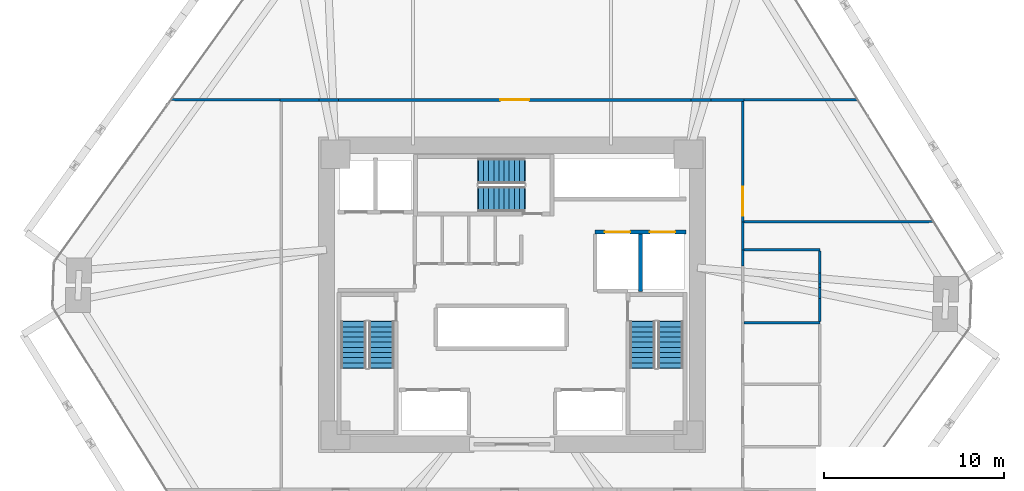
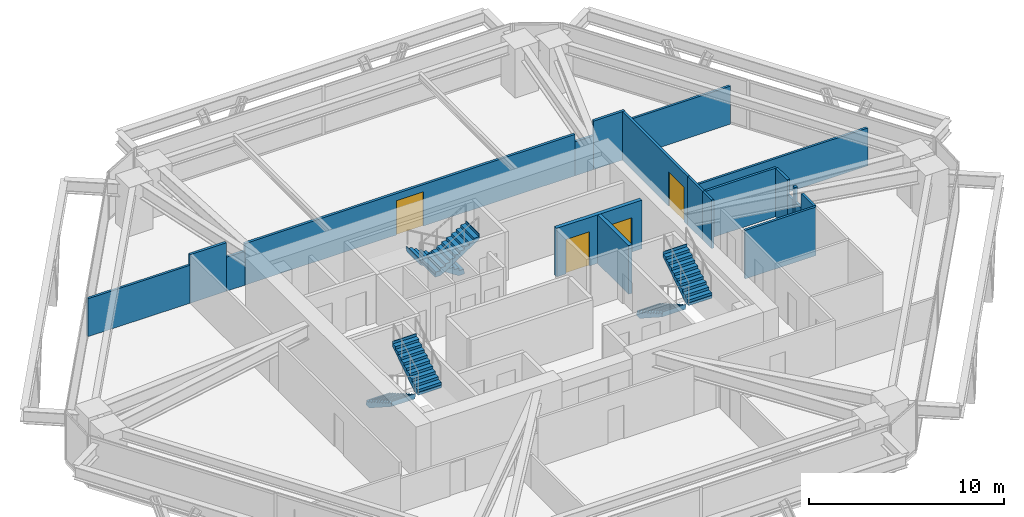
# One storey, part 13 of 14: 20 walls, 6 stair flights, 4 doors, 4 openings, 3 elements without a shape of their own.
"""IFC4 building model written with IfcOpenShell, lengths in metres."""

from ifc_helpers import new_model, si_unit, direction, frame, frame_2d, origin, place, context, subcontext, project, spatial, polyline, rectangle, outline, extrude, source, transform, mapped, material, layer, layer_set, type_object, type_shapes, element, fill, aggregate, save


model = new_model("IFC4")

# Units and contexts
model_context = context("Model", 3, precision=1e-05, world=origin(), true_north=direction((0.0, 1.0)))
body_context = subcontext(model_context, "Body", "Model", "MODEL_VIEW")
ifc_project = project(units=[si_unit("LENGTHUNIT", "METRE"), si_unit("AREAUNIT", "SQUARE_METRE"), si_unit("VOLUMEUNIT", "CUBIC_METRE"), si_unit("PLANEANGLEUNIT", "RADIAN"), si_unit("MASSUNIT", "GRAM", prefix="KILO")], contexts=[model_context])

# Site, building, storey
site_placement = place(None, origin())
site = spatial("IfcSite", under=ifc_project, at=site_placement, CompositionType="ELEMENT")
building_placement = place(site_placement, origin())
building = spatial("IfcBuilding", under=site, at=building_placement, Name="Durnholm Broadcast Tower", CompositionType="ELEMENT")
storey_placement = place(building_placement, frame((0.0, 0.0, 68.699951171875)))
storey = spatial("IfcBuildingStorey", under=building, at=storey_placement, Name="L17", CompositionType="ELEMENT", Elevation=68.699951171875)

# Walls
ifc_material_1 = material(Name="Gypsum Metal Stud Partition", Category="concrete")
ifc_layer_1 = layer(ifc_material_1, 0.135009765625)
ifc_layer_set_1 = layer_set([ifc_layer_1], Name="Gypsum Metal Stud Partition")
wall_type_1 = type_object("IfcWallType", Name="WALL-PART-135", PredefinedType="PARTITIONING", material=ifc_layer_set_1)
wall_1_placement = place(storey_placement, frame((-12.889892578125, 10.810302734375, 0.0), z_axis=(0.0, 0.0, 1.0), x_axis=(-0.999992607823, 0.003845035728, 0.0)))
element("IfcWall", 1, at=wall_1_placement, inside=storey, type_object=wall_type_1, Name="L17 room dividing partition 8.12", PredefinedType="PARTITIONING", context=body_context, shape_type="SweptSolid", body=[
    extrude(rectangle(XDim=6.031982421875, YDim=0.135009765625, at=frame_2d((3.01611328125, 0.0))), origin(), (0.0, 0.0, 1.0), 2.380126953125),
])
wall_2_placement = place(storey_placement, frame((19.18212890625, 10.831298828125, 0.0), z_axis=(0.0, 0.0, 1.0), x_axis=(-0.999994432845, -0.003336806783, 0.0)))
element("IfcWall", 2, at=wall_2_placement, inside=storey, type_object=wall_type_1, Name="L17 room dividing partition 8.14", PredefinedType="PARTITIONING", context=body_context, shape_type="SweptSolid", body=[
    extrude(rectangle(XDim=6.292236328125, YDim=0.135009765625, at=frame_2d((3.14599609375, 0.0))), origin(), (0.0, 0.0, 1.0), 2.380126953125),
])
wall_3_placement = place(storey_placement, frame((12.888916015625, 4.040283203125, 0.0), z_axis=(0.0, 0.0, 1.0), x_axis=(0.999998004093, 0.001997951593, 0.0)))
element("IfcWall", 3, at=wall_3_placement, inside=storey, type_object=wall_type_1, Name="L17 room dividing partition 13.14", PredefinedType="PARTITIONING", context=body_context, shape_type="SweptSolid", body=[
    extrude(rectangle(XDim=10.5087890625, YDim=0.135009765625, at=frame_2d((5.25439453125, 0.0))), origin(), (0.0, 0.0, 1.0), 2.380126953125),
])
ifc_material_2 = material(Name="Acoustic Gypsum Stud Partition", Category="concrete")
ifc_layer_2 = layer(ifc_material_2, 0.14990234375)
ifc_layer_set_2 = layer_set([ifc_layer_2], Name="Acoustic Gypsum Stud Partition")
wall_type_2 = type_object("IfcWallType", Name="WALL-PART-150", PredefinedType="PARTITIONING", material=ifc_layer_set_2)
wall_4_placement = place(storey_placement, frame((12.889892578125, 10.81005859375, 0.0), z_axis=(0.0, 0.0, 1.0), x_axis=(-1.0, 0.0, 0.0)))
element("IfcWall", 4, at=wall_4_placement, inside=storey, type_object=wall_type_2, Name="L17 International News Auditorium corridor partition", PredefinedType="PARTITIONING", context=body_context, shape_type="SweptSolid", body=[
    extrude(rectangle(XDim=1.847412109375, YDim=0.14990234375, at=frame_2d((0.923828125, 0.0))), origin(), (0.0, 0.0, 1.0), 3.045166015625),
])

# Wall, opening, door
wall_5_placement = place(storey_placement, frame((9.93310546875, 10.81005859375, 0.0), z_axis=(0.0, 0.0, 1.0), x_axis=(-1.0, 0.0, 0.0)))
wall_5 = element("IfcWall", 5, at=wall_5_placement, inside=storey, type_object=wall_type_2, Name="L17 International News Auditorium corridor partition", PredefinedType="PARTITIONING", context=body_context, shape_type="SweptSolid", body=[
    extrude(rectangle(XDim=19.560546875, YDim=0.14990234375, at=frame_2d((9.7802734375, 0.0))), origin(), (0.0, 0.0, 1.0), 2.59765625),
])
opening_1_placement = place(wall_5_placement, frame((8.980224609375, 0.0, 0.0)))
opening_1 = element("IfcOpeningElement", 6, at=opening_1_placement, cuts=wall_5, Name="Opening DST-160", PredefinedType="OPENING", context=body_context, shape_type="SweptSolid", body=[
    extrude(rectangle(XDim=1.60009765625, YDim=2.14990234375, at=frame_2d((0.800048828125, 1.074951171875))), frame((0.0, 0.0849609375, 0.0), z_axis=(0.0, -1.0, 0.0), x_axis=(1.0, 0.0, 0.0)), (0.0, 0.0, 1.0), 0.169921875),
])
ifc_material_3 = material(Name="Acoustic Broadcast Studio Sound-Lock Door", Category="steel")
ifc_layer_3 = layer(ifc_material_3, 0.050048828125)
ifc_layer_set_3 = layer_set([ifc_layer_3], Name="Acoustic Broadcast Studio Sound-Lock Door")
door_type_1 = type_object("IfcDoorType", Name="DOOR-STU-1600", OperationType="DOUBLE_DOOR_SINGLE_SWING", PredefinedType="DOOR", material=ifc_layer_set_3)
shared_shape_1 = source(origin(), body_context, "Body", "SweptSolid", [
    extrude(rectangle(XDim=1.60009765625, YDim=2.14990234375, at=frame_2d((0.800048828125, 1.074951171875))), frame((0.0, 0.02490234375, 0.0), z_axis=(0.0, -1.0, 0.0), x_axis=(1.0, 0.0, 0.0)), (0.0, 0.0, 1.0), 0.050048828125),
])
type_shapes(door_type_1, [shared_shape_1])
door_1_placement = place(opening_1_placement, origin())
door_1 = element("IfcDoor", 7, at=door_1_placement, inside=storey, type_object=door_type_1, Name="L17 International News Auditorium entrance door", OperationType="DOUBLE_DOOR_SINGLE_SWING", OverallHeight=2.14990234375, OverallWidth=1.60009765625, PredefinedType="DOOR", context=body_context, shape_type="MappedRepresentation", body=[
    mapped(shared_shape_1, transform((0.0, 0.0, 0.0), x_axis=(1.0, 0.0, 0.0), y_axis=(0.0, 1.0, 0.0), z_axis=(0.0, 0.0, 1.0), scale=1.0)),
])
fill(opening_1, door_1)

# Walls
wall_6_placement = place(storey_placement, frame((-10.719970703125, 10.81005859375, 0.0), z_axis=(0.0, 0.0, 1.0), x_axis=(-1.0, 0.0, 0.0)))
element("IfcWall", 8, at=wall_6_placement, inside=storey, type_object=wall_type_2, Name="L17 International News Auditorium corridor partition", PredefinedType="PARTITIONING", context=body_context, shape_type="SweptSolid", body=[
    extrude(rectangle(XDim=2.169921875, YDim=0.14990234375, at=frame_2d((1.0849609375, 0.0))), origin(), (0.0, 0.0, 1.0), 3.045166015625),
])
wall_7_placement = place(storey_placement, frame((11.04248046875, 10.81005859375, 0.0), z_axis=(0.0, 0.0, 1.0), x_axis=(-1.0, 0.0, 0.0)))
element("IfcWall", 9, at=wall_7_placement, inside=storey, type_object=wall_type_2, Name="L17 International News Auditorium corridor partition", PredefinedType="PARTITIONING", context=body_context, shape_type="SweptSolid", body=[
    extrude(rectangle(XDim=1.109375, YDim=0.14990234375, at=frame_2d((0.5546875, 0.0))), origin(), (0.0, 0.0, 1.0), 2.130126953125),
])
wall_8_placement = place(storey_placement, frame((-9.62744140625, 10.81005859375, 0.0), z_axis=(0.0, 0.0, 1.0), x_axis=(-1.0, 0.0, 0.0)))
element("IfcWall", 10, at=wall_8_placement, inside=storey, type_object=wall_type_2, Name="L17 International News Auditorium corridor partition", PredefinedType="PARTITIONING", context=body_context, shape_type="SweptSolid", body=[
    extrude(rectangle(XDim=1.092529296875, YDim=0.14990234375, at=frame_2d((0.54638671875, 0.0))), origin(), (0.0, 0.0, 1.0), 2.130126953125),
])
wall_9_placement = place(storey_placement, frame((12.81005859375, 2.489990234375, 0.0), z_axis=(0.0, 0.0, 1.0), x_axis=(0.0, 1.0, 0.0)))
element("IfcWall", 11, at=wall_9_placement, inside=storey, type_object=wall_type_2, Name="L17 Open Plan Broadcast Workspace 1 corridor partition", PredefinedType="PARTITIONING", context=body_context, shape_type="SweptSolid", body=[
    extrude(rectangle(XDim=1.550048828125, YDim=0.14990234375, at=frame_2d((0.77490234375, 0.0))), origin(), (0.0, 0.0, 1.0), 3.045166015625),
])

# Wall, opening, door
wall_10_placement = place(storey_placement, frame((12.81005859375, 4.0400390625, 0.0), z_axis=(0.0, 0.0, 1.0), x_axis=(0.0, 1.0, 0.0)))
wall_10 = element("IfcWall", 12, at=wall_10_placement, inside=storey, type_object=wall_type_2, Name="L17 International News Auditorium corridor partition", PredefinedType="PARTITIONING", context=body_context, shape_type="SweptSolid", body=[
    extrude(rectangle(XDim=6.69091796875, YDim=0.14990234375, at=frame_2d((3.345458984375, 0.0))), origin(), (0.0, 0.0, 1.0), 3.045166015625),
])
opening_2_placement = place(wall_10_placement, frame((0.35009765625, 0.0, 0.0)))
opening_2 = element("IfcOpeningElement", 13, at=opening_2_placement, cuts=wall_10, Name="Opening DST-160", PredefinedType="OPENING", context=body_context, shape_type="SweptSolid", body=[
    extrude(rectangle(XDim=1.60009765625, YDim=2.14990234375, at=frame_2d((0.800048828125, 1.074951171875))), frame((0.0, 0.0849609375, 0.0), z_axis=(0.0, -1.0, 0.0), x_axis=(1.0, 0.0, 0.0)), (0.0, 0.0, 1.0), 0.169921875),
])
door_2_placement = place(opening_2_placement, origin())
door_2 = element("IfcDoor", 14, at=door_2_placement, inside=storey, type_object=door_type_1, Name="L17 International News Auditorium entrance door", OperationType="DOUBLE_DOOR_SINGLE_SWING", OverallHeight=2.14990234375, OverallWidth=1.60009765625, PredefinedType="DOOR", context=body_context, shape_type="MappedRepresentation", body=[
    mapped(shared_shape_1, transform((0.0, 0.0, 0.0), x_axis=(1.0, 0.0, 0.0), y_axis=(0.0, 1.0, 0.0), z_axis=(0.0, 0.0, 1.0), scale=1.0)),
])
fill(opening_2, door_2)

# Wall, openings, doors
ifc_material_4 = material(Name="Concrete Blockwork C30/37", Category="masonry")
ifc_layer_4 = layer(ifc_material_4, 0.219970703125)
ifc_layer_set_4 = layer_set([ifc_layer_4], Name="Concrete Blockwork C30/37")
wall_type_3 = type_object("IfcWallType", Name="WALL-SHAFT-220", PredefinedType="SOLIDWALL", material=ifc_layer_set_4)
wall_11_placement = place(storey_placement, frame((4.60009765625, 3.47998046875, 0.0), z_axis=(0.0, 0.0, 1.0), x_axis=(1.0, 0.0, 0.0)))
wall_11 = element("IfcWall", 15, at=wall_11_placement, inside=storey, type_object=wall_type_3, Name="L17 freight service lifts north front wall", PredefinedType="SOLIDWALL", context=body_context, shape_type="SweptSolid", body=[
    extrude(rectangle(XDim=5.0498046875, YDim=0.219970703125, at=frame_2d((2.52490234375, 0.0))), origin(), (0.0, 0.0, 1.0), 3.045166015625),
])
opening_3_placement = place(wall_11_placement, frame((0.550048828125, 0.0, 0.0)))
opening_3 = element("IfcOpeningElement", 16, at=opening_3_placement, cuts=wall_11, Name="Opening LD-SVL-2", PredefinedType="OPENING", context=body_context, shape_type="SweptSolid", body=[
    extrude(rectangle(XDim=1.39990234375, YDim=2.14990234375, at=frame_2d((0.699951171875, 1.074951171875))), frame((0.0, 0.1201171875, 0.0), z_axis=(0.0, -1.0, 0.0), x_axis=(1.0, 0.0, 0.0)), (0.0, 0.0, 1.0), 0.239990234375),
])
opening_4_placement = place(wall_11_placement, frame((3.050048828125, 0.0, 0.0)))
opening_4 = element("IfcOpeningElement", 17, at=opening_4_placement, cuts=wall_11, Name="Opening LD-SVL-1", PredefinedType="OPENING", context=body_context, shape_type="SweptSolid", body=[
    extrude(rectangle(XDim=1.39990234375, YDim=2.14990234375, at=frame_2d((0.699951171875, 1.074951171875))), frame((0.0, 0.1201171875, 0.0), z_axis=(0.0, -1.0, 0.0), x_axis=(1.0, 0.0, 0.0)), (0.0, 0.0, 1.0), 0.239990234375),
])
ifc_material_5 = material(Name="Freight Elevator Bi-Parting Sliding Landing Door", Category="steel")
ifc_layer_5 = layer(ifc_material_5, 0.050048828125)
ifc_layer_set_5 = layer_set([ifc_layer_5], Name="Freight Elevator Bi-Parting Sliding Landing Door")
door_type_2 = type_object("IfcDoorType", Name="DOOR-LIFT-SVL", OperationType="DOUBLE_DOOR_SLIDING", PredefinedType="DOOR", material=ifc_layer_set_5)
shared_shape_2 = source(origin(), body_context, "Body", "SweptSolid", [
    extrude(rectangle(XDim=1.39990234375, YDim=2.14990234375, at=frame_2d((0.699951171875, 1.074951171875))), frame((0.0, 0.02490234375, 0.0), z_axis=(0.0, -1.0, 0.0), x_axis=(1.0, 0.0, 0.0)), (0.0, 0.0, 1.0), 0.050048828125),
])
type_shapes(door_type_2, [shared_shape_2])
door_3_placement = place(opening_3_placement, origin())
door_3 = element("IfcDoor", 18, at=door_3_placement, inside=storey, type_object=door_type_2, Name="L17 freight service elevator SVL-2 sliding landing door", OperationType="DOUBLE_DOOR_SLIDING", OverallHeight=2.14990234375, OverallWidth=1.39990234375, PredefinedType="DOOR", context=body_context, shape_type="MappedRepresentation", body=[
    mapped(shared_shape_2, transform((0.0, 0.0, 0.0), x_axis=(1.0, 0.0, 0.0), y_axis=(0.0, 1.0, 0.0), z_axis=(0.0, 0.0, 1.0), scale=1.0)),
])
fill(opening_3, door_3)
door_4_placement = place(opening_4_placement, origin())
door_4 = element("IfcDoor", 19, at=door_4_placement, inside=storey, type_object=door_type_2, Name="L17 freight service elevator SVL-1 sliding landing door", OperationType="DOUBLE_DOOR_SLIDING", OverallHeight=2.14990234375, OverallWidth=1.39990234375, PredefinedType="DOOR", context=body_context, shape_type="MappedRepresentation", body=[
    mapped(shared_shape_2, transform((0.0, 0.0, 0.0), x_axis=(1.0, 0.0, 0.0), y_axis=(0.0, 1.0, 0.0), z_axis=(0.0, 0.0, 1.0), scale=1.0)),
])
fill(opening_4, door_4)

# Walls
wall_12_placement = place(storey_placement, frame((7.1201171875, 0.179931640625, 0.0), z_axis=(0.0, 0.0, 1.0), x_axis=(0.0, 1.0, 0.0)))
element("IfcWall", 20, at=wall_12_placement, inside=storey, type_object=wall_type_3, Name="L17 freight service lifts divider wall", PredefinedType="SOLIDWALL", context=body_context, shape_type="SweptSolid", body=[
    extrude(rectangle(XDim=3.18603515625, YDim=0.219970703125, at=frame_2d((1.593017578125, 0.0))), origin(), (0.0, 0.0, 1.0), 3.045166015625),
])
ifc_material_6 = material(Name="Moisture-Resistant Tile Partition", Category="concrete")
ifc_layer_6 = layer(ifc_material_6, 0.139892578125)
ifc_layer_set_6 = layer_set([ifc_layer_6], Name="Moisture-Resistant Tile Partition")
wall_type_4 = type_object("IfcWallType", Name="WALL-WC-140", PredefinedType="PARTITIONING", material=ifc_layer_set_6)
wall_13_placement = place(storey_placement, frame((12.81005859375, 1.584716796875, 0.0), z_axis=(0.0, 0.0, 1.0), x_axis=(0.0, 1.0, 0.0)))
element("IfcWall", 21, at=wall_13_placement, inside=storey, type_object=wall_type_4, Name="L17 Accessible Restroom corridor partition", PredefinedType="PARTITIONING", context=body_context, shape_type="SweptSolid", body=[
    extrude(rectangle(XDim=0.9052734375, YDim=0.139892578125, at=frame_2d((0.45263671875, 0.0))), origin(), (0.0, 0.0, 1.0), 3.045166015625),
])
wall_14_placement = place(storey_placement, frame((12.884033203125, -1.56005859375, 0.0), z_axis=(0.0, 0.0, 1.0), x_axis=(1.0, 0.0, 0.0)))
element("IfcWall", 22, at=wall_14_placement, inside=storey, type_object=wall_type_4, Name="L17 room dividing partition 6.7", PredefinedType="PARTITIONING", context=body_context, shape_type="SweptSolid", body=[
    extrude(rectangle(XDim=4.2060546875, YDim=0.139892578125, at=frame_2d((2.10302734375, 0.0))), origin(), (0.0, 0.0, 1.0), 3.045166015625),
])
wall_15_placement = place(storey_placement, frame((12.888916015625, 2.489990234375, 0.0), z_axis=(0.0, 0.0, 1.0), x_axis=(1.0, 0.0, 0.0)))
element("IfcWall", 23, at=wall_15_placement, inside=storey, type_object=wall_type_4, Name="L17 room dividing partition 7.13", PredefinedType="PARTITIONING", context=body_context, shape_type="SweptSolid", body=[
    extrude(rectangle(XDim=4.201171875, YDim=0.139892578125, at=frame_2d((2.1005859375, 0.0))), origin(), (0.0, 0.0, 1.0), 3.045166015625),
])
wall_16_placement = place(storey_placement, frame((17.090087890625, 2.416015625, 0.0), z_axis=(0.0, 0.0, 1.0), x_axis=(0.0, -1.0, 0.0)))
element("IfcWall", 24, at=wall_16_placement, inside=storey, type_object=wall_type_4, Name="L17 room dividing partition 7.13", PredefinedType="PARTITIONING", context=body_context, shape_type="SweptSolid", body=[
    extrude(rectangle(XDim=1.203857421875, YDim=0.139892578125, at=frame_2d((0.60205078125, 0.0))), origin(), (0.0, 0.0, 1.0), 3.045166015625),
])
wall_17_placement = place(storey_placement, frame((17.090087890625, 0.60595703125, 0.0), z_axis=(0.0, 0.0, 1.0), x_axis=(0.0, -1.0, 0.0)))
element("IfcWall", 25, at=wall_17_placement, inside=storey, type_object=wall_type_4, Name="L17 room dividing partition 7.13", PredefinedType="PARTITIONING", context=body_context, shape_type="SweptSolid", body=[
    extrude(rectangle(XDim=0.205078125, YDim=0.139892578125, at=frame_2d((0.1025390625, 0.0))), origin(), (0.0, 0.0, 1.0), 3.045166015625),
])
wall_18_placement = place(storey_placement, frame((17.090087890625, -0.216064453125, 0.0), z_axis=(0.0, 0.0, 1.0), x_axis=(0.0, -1.0, 0.0)))
element("IfcWall", 26, at=wall_18_placement, inside=storey, type_object=wall_type_4, Name="L17 room dividing partition 7.13", PredefinedType="PARTITIONING", context=body_context, shape_type="SweptSolid", body=[
    extrude(rectangle(XDim=1.27001953125, YDim=0.139892578125, at=frame_2d((0.635009765625, 0.0))), origin(), (0.0, 0.0, 1.0), 3.045166015625),
])
wall_19_placement = place(storey_placement, frame((17.090087890625, 1.212158203125, 0.0), z_axis=(0.0, 0.0, 1.0), x_axis=(0.0, -1.0, 0.0)))
element("IfcWall", 27, at=wall_19_placement, inside=storey, type_object=wall_type_4, Name="L17 room dividing partition 7.13", PredefinedType="PARTITIONING", context=body_context, shape_type="SweptSolid", body=[
    extrude(rectangle(XDim=0.606201171875, YDim=0.139892578125, at=frame_2d((0.30322265625, 0.0))), origin(), (0.0, 0.0, 1.0), 2.130126953125),
])
wall_20_placement = place(storey_placement, frame((17.090087890625, 0.40087890625, 0.0), z_axis=(0.0, 0.0, 1.0), x_axis=(0.0, -1.0, 0.0)))
element("IfcWall", 28, at=wall_20_placement, inside=storey, type_object=wall_type_4, Name="L17 room dividing partition 7.13", PredefinedType="PARTITIONING", context=body_context, shape_type="SweptSolid", body=[
    extrude(rectangle(XDim=0.616943359375, YDim=0.139892578125, at=frame_2d((0.30859375, 0.0))), origin(), (0.0, 0.0, 1.0), 2.130126953125),
])

# Stair, stair flights
ifc_material_7 = material(Name="Concrete C50/60", Category="concrete")
stair_type = type_object("IfcStairType", Name="STAIR-DL-20R1650", PredefinedType="HALF_TURN_STAIR", material=ifc_material_7)
stair_1_placement = place(storey_placement, origin())
stair_1 = element("IfcStair", 29, at=stair_1_placement, inside=storey, type_object=stair_type, Name="L17 ST-1", PredefinedType="HALF_TURN_STAIR")
stair_flight_type = type_object("IfcStairFlightType", Name="FLIGHT-DL-20R1650", PredefinedType="STRAIGHT", material=ifc_material_7)
stair_flight_1_placement = place(storey_placement, frame((-8.800048828125, -1.5, 0.0), z_axis=(0.0, 0.0, 1.0), x_axis=(0.0, -1.0, 0.0)))
stair_flight_1 = element("IfcStairFlight", 30, at=stair_flight_1_placement, type_object=stair_flight_type, Name="ST-1 flight 1", NumberOfRisers=10, NumberOfTreads=9, PredefinedType="STRAIGHT", RiserHeight=0.165, TreadLength=0.285, context=body_context, shape_type="SweptSolid", body=[
    extrude(outline(polyline([(-0.0400390625, -0.14990234375), (-0.0400390625, 0.0), (0.0, 0.0), (0.0, 0.1650390625), (0.284912109375, 0.1650390625), (0.284912109375, 0.330078125), (0.570068359375, 0.330078125), (0.570068359375, 0.4951171875), (0.85498046875, 0.4951171875), (0.85498046875, 0.659912109375), (1.139892578125, 0.659912109375), (1.139892578125, 0.824951171875), (1.425048828125, 0.824951171875), (1.425048828125, 0.989990234375), (1.7099609375, 0.989990234375), (1.7099609375, 1.155029296875), (1.9951171875, 1.155029296875), (1.9951171875, 1.320068359375), (2.280029296875, 1.320068359375), (2.280029296875, 1.485107421875), (2.56494140625, 1.485107421875), (2.56494140625, 1.64990234375), (2.60498046875, 1.64990234375), (2.60498046875, 1.5), (2.56494140625, 1.311767578125), (0.299072265625, -0.14990234375), (-0.0400390625, -0.14990234375)])), frame((0.0, 0.699951171875, 0.0), z_axis=(0.0, -1.0, 0.0), x_axis=(1.0, 0.0, 0.0)), (0.0, 0.0, 1.0), 1.39990234375),
])
stair_flight_2_placement = place(storey_placement, frame((-7.239990234375, -4.06494140625, 1.650146484375), z_axis=(0.0, 0.0, 1.0), x_axis=(0.0, 1.0, 0.0)))
stair_flight_2 = element("IfcStairFlight", 31, at=stair_flight_2_placement, type_object=stair_flight_type, Name="ST-1 flight 2", NumberOfRisers=10, NumberOfTreads=9, PredefinedType="STRAIGHT", RiserHeight=0.165, TreadLength=0.285, context=body_context, shape_type="SweptSolid", body=[
    extrude(outline(polyline([(-0.0400390625, -0.14990234375), (-0.0400390625, 0.0), (0.0, 0.0), (0.0, 0.1650390625), (0.284912109375, 0.1650390625), (0.284912109375, 0.330078125), (0.570068359375, 0.330078125), (0.570068359375, 0.4951171875), (0.85498046875, 0.4951171875), (0.85498046875, 0.659912109375), (1.139892578125, 0.659912109375), (1.139892578125, 0.824951171875), (1.425048828125, 0.824951171875), (1.425048828125, 0.989990234375), (1.7099609375, 0.989990234375), (1.7099609375, 1.155029296875), (1.9951171875, 1.155029296875), (1.9951171875, 1.320068359375), (2.280029296875, 1.320068359375), (2.280029296875, 1.485107421875), (2.56494140625, 1.485107421875), (2.56494140625, 1.64990234375), (2.60498046875, 1.64990234375), (2.60498046875, 1.5), (2.56494140625, 1.311767578125), (0.299072265625, -0.14990234375), (-0.0400390625, -0.14990234375)])), frame((0.0, 0.699951171875, 0.0), z_axis=(0.0, -1.0, 0.0), x_axis=(1.0, 0.0, 0.0)), (0.0, 0.0, 1.0), 1.39990234375),
])
aggregate(stair_1, [stair_flight_1, stair_flight_2])

stair_2_placement = place(storey_placement, origin())
stair_2 = element("IfcStair", 32, at=stair_2_placement, inside=storey, type_object=stair_type, Name="L17 ST-2", PredefinedType="HALF_TURN_STAIR")
stair_flight_3_placement = place(storey_placement, frame((7.239990234375, -1.5, 0.0), z_axis=(0.0, 0.0, 1.0), x_axis=(0.0, -1.0, 0.0)))
stair_flight_3 = element("IfcStairFlight", 33, at=stair_flight_3_placement, type_object=stair_flight_type, Name="ST-2 flight 1", NumberOfRisers=10, NumberOfTreads=9, PredefinedType="STRAIGHT", RiserHeight=0.165, TreadLength=0.285, context=body_context, shape_type="SweptSolid", body=[
    extrude(outline(polyline([(-0.0400390625, -0.14990234375), (-0.0400390625, 0.0), (0.0, 0.0), (0.0, 0.1650390625), (0.284912109375, 0.1650390625), (0.284912109375, 0.330078125), (0.570068359375, 0.330078125), (0.570068359375, 0.4951171875), (0.85498046875, 0.4951171875), (0.85498046875, 0.659912109375), (1.139892578125, 0.659912109375), (1.139892578125, 0.824951171875), (1.425048828125, 0.824951171875), (1.425048828125, 0.989990234375), (1.7099609375, 0.989990234375), (1.7099609375, 1.155029296875), (1.9951171875, 1.155029296875), (1.9951171875, 1.320068359375), (2.280029296875, 1.320068359375), (2.280029296875, 1.485107421875), (2.56494140625, 1.485107421875), (2.56494140625, 1.64990234375), (2.60498046875, 1.64990234375), (2.60498046875, 1.5), (2.56494140625, 1.311767578125), (0.299072265625, -0.14990234375), (-0.0400390625, -0.14990234375)])), frame((0.0, 0.699951171875, 0.0), z_axis=(0.0, -1.0, 0.0), x_axis=(1.0, 0.0, 0.0)), (0.0, 0.0, 1.0), 1.39990234375),
])
stair_flight_4_placement = place(storey_placement, frame((8.800048828125, -4.06494140625, 1.650146484375), z_axis=(0.0, 0.0, 1.0), x_axis=(0.0, 1.0, 0.0)))
stair_flight_4 = element("IfcStairFlight", 34, at=stair_flight_4_placement, type_object=stair_flight_type, Name="ST-2 flight 2", NumberOfRisers=10, NumberOfTreads=9, PredefinedType="STRAIGHT", RiserHeight=0.165, TreadLength=0.285, context=body_context, shape_type="SweptSolid", body=[
    extrude(outline(polyline([(-0.0400390625, -0.14990234375), (-0.0400390625, 0.0), (0.0, 0.0), (0.0, 0.1650390625), (0.284912109375, 0.1650390625), (0.284912109375, 0.330078125), (0.570068359375, 0.330078125), (0.570068359375, 0.4951171875), (0.85498046875, 0.4951171875), (0.85498046875, 0.659912109375), (1.139892578125, 0.659912109375), (1.139892578125, 0.824951171875), (1.425048828125, 0.824951171875), (1.425048828125, 0.989990234375), (1.7099609375, 0.989990234375), (1.7099609375, 1.155029296875), (1.9951171875, 1.155029296875), (1.9951171875, 1.320068359375), (2.280029296875, 1.320068359375), (2.280029296875, 1.485107421875), (2.56494140625, 1.485107421875), (2.56494140625, 1.64990234375), (2.60498046875, 1.64990234375), (2.60498046875, 1.5), (2.56494140625, 1.311767578125), (0.299072265625, -0.14990234375), (-0.0400390625, -0.14990234375)])), frame((0.0, 0.699951171875, 0.0), z_axis=(0.0, -1.0, 0.0), x_axis=(1.0, 0.0, 0.0)), (0.0, 0.0, 1.0), 1.39990234375),
])
aggregate(stair_2, [stair_flight_3, stair_flight_4])

stair_3_placement = place(storey_placement, origin())
stair_3 = element("IfcStair", 35, at=stair_3_placement, inside=storey, type_object=stair_type, Name="L17 ST-3", PredefinedType="HALF_TURN_STAIR")
stair_flight_5_placement = place(storey_placement, frame((0.699951171875, 6.860107421875, 0.0), z_axis=(0.0, 0.0, 1.0), x_axis=(-1.0, 0.0, 0.0)))
stair_flight_5 = element("IfcStairFlight", 36, at=stair_flight_5_placement, type_object=stair_flight_type, Name="ST-3 flight 1", NumberOfRisers=10, NumberOfTreads=9, PredefinedType="STRAIGHT", RiserHeight=0.165, TreadLength=0.285, context=body_context, shape_type="SweptSolid", body=[
    extrude(outline(polyline([(-0.0400390625, -0.14990234375), (-0.0400390625, 0.0), (0.0, 0.0), (0.0, 0.1650390625), (0.284912109375, 0.1650390625), (0.284912109375, 0.330078125), (0.570068359375, 0.330078125), (0.570068359375, 0.4951171875), (0.85498046875, 0.4951171875), (0.85498046875, 0.659912109375), (1.139892578125, 0.659912109375), (1.139892578125, 0.824951171875), (1.425048828125, 0.824951171875), (1.425048828125, 0.989990234375), (1.7099609375, 0.989990234375), (1.7099609375, 1.155029296875), (1.9951171875, 1.155029296875), (1.9951171875, 1.320068359375), (2.280029296875, 1.320068359375), (2.280029296875, 1.485107421875), (2.56494140625, 1.485107421875), (2.56494140625, 1.64990234375), (2.60498046875, 1.64990234375), (2.60498046875, 1.5), (2.56494140625, 1.311767578125), (0.299072265625, -0.14990234375), (-0.0400390625, -0.14990234375)])), frame((0.0, 0.699951171875, 0.0), z_axis=(0.0, -1.0, 0.0), x_axis=(1.0, 0.0, 0.0)), (0.0, 0.0, 1.0), 1.39990234375),
])
stair_flight_6_placement = place(storey_placement, frame((-1.864990234375, 5.300048828125, 1.650146484375), z_axis=(0.0, 0.0, 1.0), x_axis=(1.0, 0.0, 0.0)))
stair_flight_6 = element("IfcStairFlight", 37, at=stair_flight_6_placement, type_object=stair_flight_type, Name="ST-3 flight 2", NumberOfRisers=10, NumberOfTreads=9, PredefinedType="STRAIGHT", RiserHeight=0.165, TreadLength=0.285, context=body_context, shape_type="SweptSolid", body=[
    extrude(outline(polyline([(-0.0400390625, -0.14990234375), (-0.0400390625, 0.0), (0.0, 0.0), (0.0, 0.1650390625), (0.284912109375, 0.1650390625), (0.284912109375, 0.330078125), (0.570068359375, 0.330078125), (0.570068359375, 0.4951171875), (0.85498046875, 0.4951171875), (0.85498046875, 0.659912109375), (1.139892578125, 0.659912109375), (1.139892578125, 0.824951171875), (1.425048828125, 0.824951171875), (1.425048828125, 0.989990234375), (1.7099609375, 0.989990234375), (1.7099609375, 1.155029296875), (1.9951171875, 1.155029296875), (1.9951171875, 1.320068359375), (2.280029296875, 1.320068359375), (2.280029296875, 1.485107421875), (2.56494140625, 1.485107421875), (2.56494140625, 1.64990234375), (2.60498046875, 1.64990234375), (2.60498046875, 1.5), (2.56494140625, 1.311767578125), (0.299072265625, -0.14990234375), (-0.0400390625, -0.14990234375)])), frame((0.0, 0.699951171875, 0.0), z_axis=(0.0, -1.0, 0.0), x_axis=(1.0, 0.0, 0.0)), (0.0, 0.0, 1.0), 1.39990234375),
])
aggregate(stair_3, [stair_flight_5, stair_flight_6])

save(model, "model.ifc")
